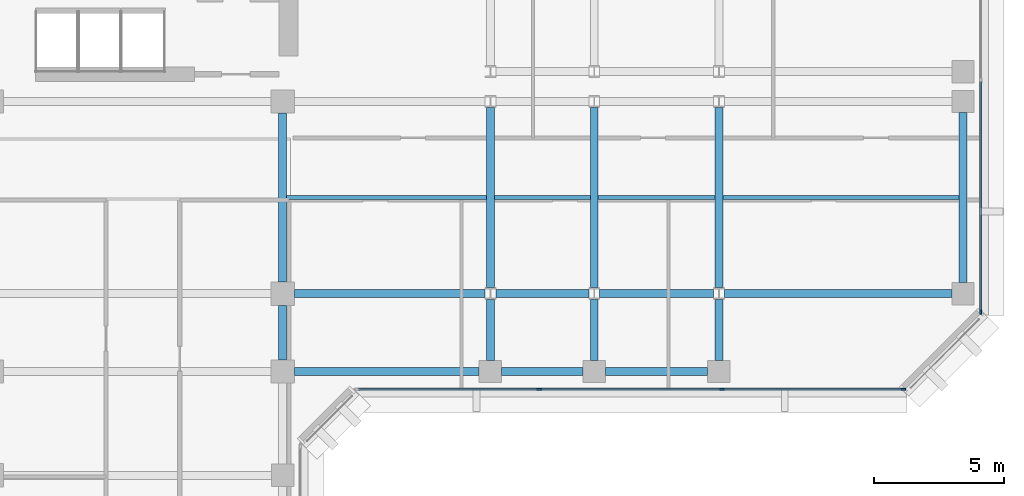
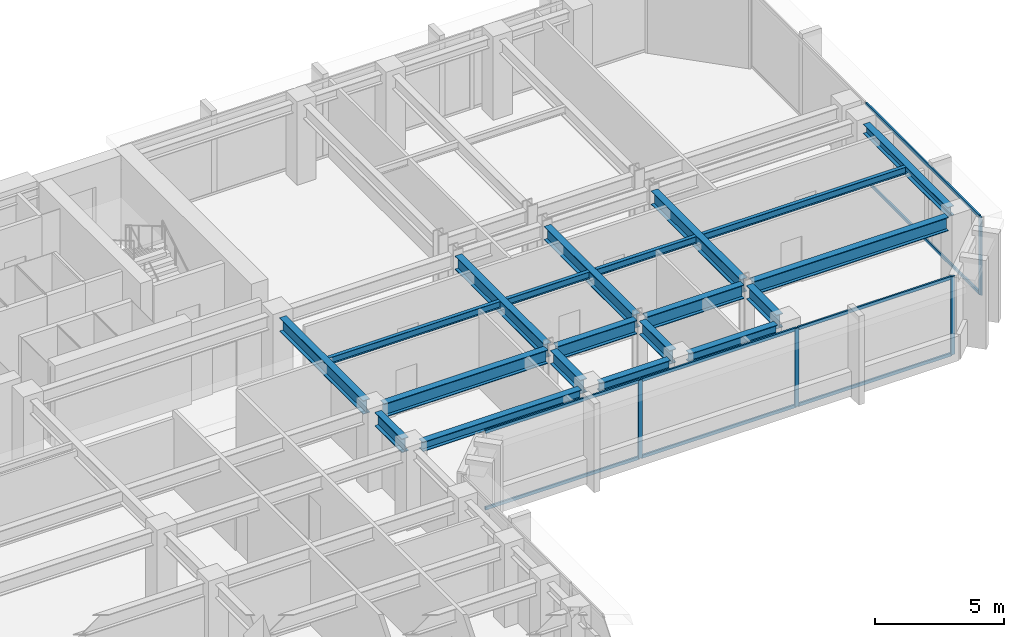
# One storey, part 3 of 12: 20 beams, 12 members, 2 elements without a shape of their own.
"""IFC4 building model written with IfcOpenShell, lengths in metres."""

from ifc_helpers import new_model, si_unit, direction, frame, origin, origin_2d, place, context, subcontext, project, spatial, rectangle, i_section, extrude, material, layer, layer_set, material_profile, profile_set, type_object, element, aggregate, save


model = new_model("IFC4")

# Units and contexts
model_context = context("Model", 3, precision=1e-05, world=origin(), true_north=direction((0.0, 1.0)))
body_context = subcontext(model_context, "Body", "Model", "MODEL_VIEW")
ifc_project = project(units=[si_unit("LENGTHUNIT", "METRE"), si_unit("AREAUNIT", "SQUARE_METRE"), si_unit("VOLUMEUNIT", "CUBIC_METRE"), si_unit("PLANEANGLEUNIT", "RADIAN"), si_unit("MASSUNIT", "GRAM", prefix="KILO")], contexts=[model_context])

# Site, building, storey
site_placement = place(None, origin())
site = spatial("IfcSite", under=ifc_project, at=site_placement, CompositionType="ELEMENT")
building_placement = place(site_placement, origin())
building = spatial("IfcBuilding", under=site, at=building_placement, Name="Kefirva Bronze Tower", CompositionType="ELEMENT")
storey_placement = place(building_placement, frame((0.0, 0.0, 118.469970703125)))
storey = spatial("IfcBuildingStorey", under=building, at=storey_placement, Name="L28", CompositionType="ELEMENT", Elevation=118.469970703125)

# Curtain wall, members
ifc_material_1 = material(Name="Bronze anodised aluminium", Category="aluminium")
ifc_layer = layer(ifc_material_1, 0.199951171875, Name="Bronze anodised aluminium")
ifc_layer_set = layer_set([ifc_layer], Name="Bronze anodised aluminium")
curtain_wall_type = type_object("IfcCurtainWallType", Name="Unitised Bronze Ribbon Curtain Wall Zone 2", PredefinedType="USERDEFINED", material=ifc_layer_set)
curtain_wall_1_placement = place(storey_placement, origin())
curtain_wall_1 = element("IfcCurtainWall", 1, at=curtain_wall_1_placement, inside=storey, type_object=curtain_wall_type, Name="L28 Curtain Wall 2", ObjectType="UNITISED CURTAIN WALL", PredefinedType="USERDEFINED")
ifc_material_profile_1 = material_profile(ifc_material_1, rectangle(XDim=0.074951171875, YDim=0.179931640625, at=origin_2d()), Name="ALU 75x180")
ifc_profile_set_1 = profile_set([ifc_material_profile_1], Name="Bronze anodised aluminium")
member_type_1 = type_object("IfcMemberType", Name="Bronze Mullion 75x180", PredefinedType="MULLION", material=ifc_profile_set_1)
member_1_placement = place(storey_placement, frame((33.0849609375, 22.1201171875, 0.0), z_axis=(0.0, 0.0, 1.0), x_axis=(0.0, 1.0, 0.0)))
member_1 = element("IfcMember", 2, at=member_1_placement, type_object=member_type_1, Name="CW-02 mullion 2", PredefinedType="MULLION", context=body_context, shape_type="SweptSolid", body=[
    extrude(rectangle(XDim=0.074951171875, YDim=0.179931640625, at=origin_2d()), origin(), (0.0, 0.0, 1.0), 3.7099609375),
])
member_2_placement = place(storey_placement, frame((40.114990234375, 22.1201171875, 0.0), z_axis=(0.0, 0.0, 1.0), x_axis=(0.0, 1.0, 0.0)))
member_2 = element("IfcMember", 3, at=member_2_placement, type_object=member_type_1, Name="CW-02 mullion 3", PredefinedType="MULLION", context=body_context, shape_type="SweptSolid", body=[
    extrude(rectangle(XDim=0.074951171875, YDim=0.179931640625, at=origin_2d()), origin(), (0.0, 0.0, 1.0), 3.7099609375),
])
member_3_placement = place(storey_placement, frame((47.107421875, 22.1201171875, 0.0), z_axis=(0.0, 0.0, 1.0), x_axis=(0.0, 1.0, 0.0)))
member_3 = element("IfcMember", 4, at=member_3_placement, type_object=member_type_1, Name="CW-02 mullion 4", PredefinedType="MULLION", context=body_context, shape_type="SweptSolid", body=[
    extrude(rectangle(XDim=0.074951171875, YDim=0.179931640625, at=origin_2d()), origin(), (0.0, 0.0, 1.0), 3.7099609375),
])

# Curtain wall, member
curtain_wall_2_placement = place(storey_placement, origin())
curtain_wall_2 = element("IfcCurtainWall", 5, at=curtain_wall_2_placement, inside=storey, type_object=curtain_wall_type, Name="L28 Curtain Wall 3", ObjectType="UNITISED CURTAIN WALL", PredefinedType="USERDEFINED")
member_4_placement = place(storey_placement, frame((50.080078125, 25.092529296875, 0.0), z_axis=(0.0, 0.0, 1.0), x_axis=(-1.0, 0.0, 0.0)))
member_4 = element("IfcMember", 6, at=member_4_placement, type_object=member_type_1, Name="CW-02 mullion 1", PredefinedType="MULLION", context=body_context, shape_type="SweptSolid", body=[
    extrude(rectangle(XDim=0.074951171875, YDim=0.179931640625, at=origin_2d()), origin(), (0.0, 0.0, 1.0), 3.7099609375),
])

# Member
ifc_material_profile_2 = material_profile(ifc_material_1, rectangle(XDim=0.074951171875, YDim=0.14990234375, at=origin_2d()), Name="ALU 75x150")
ifc_profile_set_2 = profile_set([ifc_material_profile_2], Name="Bronze anodised aluminium")
member_type_2 = type_object("IfcMemberType", Name="Bronze Transom 75x150", PredefinedType="USERDEFINED", material=ifc_profile_set_2)
member_5_placement = place(storey_placement, frame((26.1298828125, 22.1201171875, 0.03759765625), z_axis=(1.0, 0.0, 0.0), x_axis=(0.0, 1.0, 0.0)))
member_5 = element("IfcMember", 7, at=member_5_placement, type_object=member_type_2, Name="CW-02 transom 1.1", ObjectType="TRANSOM", PredefinedType="USERDEFINED", context=body_context, shape_type="SweptSolid", body=[
    extrude(rectangle(XDim=0.074951171875, YDim=0.14990234375, at=origin_2d()), origin(), (0.0, 0.0, 1.0), 6.917724609375),
])

member_6_placement = place(storey_placement, frame((26.1298828125, 22.1201171875, 3.672607421875), z_axis=(1.0, 0.0, 0.0), x_axis=(0.0, 1.0, 0.0)))
member_6 = element("IfcMember", 8, at=member_6_placement, type_object=member_type_2, Name="CW-02 transom 1.2", ObjectType="TRANSOM", PredefinedType="USERDEFINED", context=body_context, shape_type="SweptSolid", body=[
    extrude(rectangle(XDim=0.074951171875, YDim=0.14990234375, at=origin_2d()), origin(), (0.0, 0.0, 1.0), 6.917724609375),
])

member_7_placement = place(storey_placement, frame((33.12255859375, 22.1201171875, 0.03759765625), z_axis=(1.0, 0.0, 0.0), x_axis=(0.0, 1.0, 0.0)))
member_7 = element("IfcMember", 9, at=member_7_placement, type_object=member_type_2, Name="CW-02 transom 2.1", ObjectType="TRANSOM", PredefinedType="USERDEFINED", context=body_context, shape_type="SweptSolid", body=[
    extrude(rectangle(XDim=0.074951171875, YDim=0.14990234375, at=origin_2d()), origin(), (0.0, 0.0, 1.0), 6.954833984375),
])

member_8_placement = place(storey_placement, frame((33.12255859375, 22.1201171875, 3.672607421875), z_axis=(1.0, 0.0, 0.0), x_axis=(0.0, 1.0, 0.0)))
member_8 = element("IfcMember", 10, at=member_8_placement, type_object=member_type_2, Name="CW-02 transom 2.2", ObjectType="TRANSOM", PredefinedType="USERDEFINED", context=body_context, shape_type="SweptSolid", body=[
    extrude(rectangle(XDim=0.074951171875, YDim=0.14990234375, at=origin_2d()), origin(), (0.0, 0.0, 1.0), 6.954833984375),
])

member_9_placement = place(storey_placement, frame((40.152587890625, 22.1201171875, 0.03759765625), z_axis=(1.0, 0.0, 0.0), x_axis=(0.0, 1.0, 0.0)))
member_9 = element("IfcMember", 11, at=member_9_placement, type_object=member_type_2, Name="CW-02 transom 3.1", ObjectType="TRANSOM", PredefinedType="USERDEFINED", context=body_context, shape_type="SweptSolid", body=[
    extrude(rectangle(XDim=0.074951171875, YDim=0.14990234375, at=origin_2d()), origin(), (0.0, 0.0, 1.0), 6.91748046875),
])

member_10_placement = place(storey_placement, frame((40.152587890625, 22.1201171875, 3.672607421875), z_axis=(1.0, 0.0, 0.0), x_axis=(0.0, 1.0, 0.0)))
member_10 = element("IfcMember", 12, at=member_10_placement, type_object=member_type_2, Name="CW-02 transom 3.2", ObjectType="TRANSOM", PredefinedType="USERDEFINED", context=body_context, shape_type="SweptSolid", body=[
    extrude(rectangle(XDim=0.074951171875, YDim=0.14990234375, at=origin_2d()), origin(), (0.0, 0.0, 1.0), 6.91748046875),
])

aggregate(curtain_wall_1, [member_1, member_2, member_3, member_5, member_6, member_7, member_8, member_9, member_10])

member_11_placement = place(storey_placement, frame((50.080078125, 25.1298828125, 0.03759765625), z_axis=(0.0, 1.0, 0.0), x_axis=(-1.0, 0.0, 0.0)))
member_11 = element("IfcMember", 13, at=member_11_placement, type_object=member_type_2, Name="CW-02 transom 1.1", ObjectType="TRANSOM", PredefinedType="USERDEFINED", context=body_context, shape_type="SweptSolid", body=[
    extrude(rectangle(XDim=0.074951171875, YDim=0.14990234375, at=origin_2d()), origin(), (0.0, 0.0, 1.0), 8.83251953125),
])

member_12_placement = place(storey_placement, frame((50.080078125, 25.1298828125, 3.672607421875), z_axis=(0.0, 1.0, 0.0), x_axis=(-1.0, 0.0, 0.0)))
member_12 = element("IfcMember", 14, at=member_12_placement, type_object=member_type_2, Name="CW-02 transom 1.2", ObjectType="TRANSOM", PredefinedType="USERDEFINED", context=body_context, shape_type="SweptSolid", body=[
    extrude(rectangle(XDim=0.074951171875, YDim=0.14990234375, at=origin_2d()), origin(), (0.0, 0.0, 1.0), 8.83251953125),
])

aggregate(curtain_wall_2, [member_4, member_11, member_12])

# Beams
ifc_material_2 = material(Name="Steel S355", Category="steel")
ifc_material_profile_3 = material_profile(ifc_material_2, i_section(OverallWidth=0.159912109375, OverallDepth=0.330078125, WebThickness=0.007568359375, FlangeThickness=0.011474609375, at=origin_2d()), Name="IPE 330")
ifc_profile_set_3 = profile_set([ifc_material_profile_3], Name="Steel S355")
beam_type_1 = type_object("IfcBeamType", Name="Steel Floor Joist IPE 330", PredefinedType="JOIST", material=ifc_profile_set_3)
beam_1_placement = place(storey_placement, frame((23.35009765625, 29.5, 3.544921875), z_axis=(1.0, 0.0, 0.0), x_axis=(0.0, 1.0, 0.0)))
element("IfcBeam", 15, at=beam_1_placement, inside=storey, type_object=beam_type_1, Name="L28 JST-L28-23-295", PredefinedType="JOIST", context=body_context, shape_type="SweptSolid", body=[
    extrude(i_section(OverallWidth=0.159912109375, OverallDepth=0.330078125, WebThickness=0.007568359375, FlangeThickness=0.011474609375, at=origin_2d()), origin(), (0.0, 0.0, 1.0), 7.699951171875),
])
beam_2_placement = place(storey_placement, frame((31.35009765625, 29.5, 3.544921875), z_axis=(1.0, 0.0, 0.0), x_axis=(0.0, 1.0, 0.0)))
element("IfcBeam", 16, at=beam_2_placement, inside=storey, type_object=beam_type_1, Name="L28 JST-L28-31-295", PredefinedType="JOIST", context=body_context, shape_type="SweptSolid", body=[
    extrude(i_section(OverallWidth=0.159912109375, OverallDepth=0.330078125, WebThickness=0.007568359375, FlangeThickness=0.011474609375, at=origin_2d()), origin(), (0.0, 0.0, 1.0), 3.699951171875),
])
beam_3_placement = place(storey_placement, frame((35.35009765625, 29.5, 3.544921875), z_axis=(1.0, 0.0, 0.0), x_axis=(0.0, 1.0, 0.0)))
element("IfcBeam", 17, at=beam_3_placement, inside=storey, type_object=beam_type_1, Name="L28 JST-L28-35-295", PredefinedType="JOIST", context=body_context, shape_type="SweptSolid", body=[
    extrude(i_section(OverallWidth=0.159912109375, OverallDepth=0.330078125, WebThickness=0.007568359375, FlangeThickness=0.011474609375, at=origin_2d()), origin(), (0.0, 0.0, 1.0), 4.5),
])
beam_4_placement = place(storey_placement, frame((40.14990234375, 29.5, 3.544921875), z_axis=(1.0, 0.0, 0.0), x_axis=(0.0, 1.0, 0.0)))
element("IfcBeam", 18, at=beam_4_placement, inside=storey, type_object=beam_type_1, Name="L28 JST-L28-40-295", PredefinedType="JOIST", context=body_context, shape_type="SweptSolid", body=[
    extrude(i_section(OverallWidth=0.159912109375, OverallDepth=0.330078125, WebThickness=0.007568359375, FlangeThickness=0.011474609375, at=origin_2d()), origin(), (0.0, 0.0, 1.0), 9.10009765625),
])
ifc_material_profile_4 = material_profile(ifc_material_2, i_section(OverallWidth=0.300048828125, OverallDepth=0.64990234375, WebThickness=0.01611328125, FlangeThickness=0.031005859375, at=origin_2d()), Name="HEB 650")
ifc_profile_set_4 = profile_set([ifc_material_profile_4], Name="Steel S355")
beam_type_2 = type_object("IfcBeamType", Name="Steel Girder HEB 650", PredefinedType="USERDEFINED", material=ifc_profile_set_4)
beam_5_placement = place(storey_placement, frame((23.64990234375, 25.800048828125, 3.385009765625), z_axis=(1.0, 0.0, 0.0), x_axis=(0.0, 1.0, 0.0)))
element("IfcBeam", 19, at=beam_5_placement, inside=storey, type_object=beam_type_2, Name="L28 BM-L28-EW-23-258", ObjectType="GIRDER", PredefinedType="USERDEFINED", context=body_context, shape_type="SweptSolid", body=[
    extrude(i_section(OverallWidth=0.300048828125, OverallDepth=0.64990234375, WebThickness=0.01611328125, FlangeThickness=0.031005859375, at=origin_2d()), origin(), (0.0, 0.0, 1.0), 7.341064453125),
])
beam_6_placement = place(storey_placement, frame((31.408935546875, 25.800048828125, 3.385009765625), z_axis=(1.0, 0.0, 0.0), x_axis=(0.0, 1.0, 0.0)))
element("IfcBeam", 20, at=beam_6_placement, inside=storey, type_object=beam_type_2, Name="L28 BM-L28-EW-31-258", ObjectType="GIRDER", PredefinedType="USERDEFINED", context=body_context, shape_type="SweptSolid", body=[
    extrude(i_section(OverallWidth=0.300048828125, OverallDepth=0.64990234375, WebThickness=0.01611328125, FlangeThickness=0.031005859375, at=origin_2d()), origin(), (0.0, 0.0, 1.0), 3.58203125),
])
beam_7_placement = place(storey_placement, frame((35.408935546875, 25.800048828125, 3.385009765625), z_axis=(1.0, 0.0, 0.0), x_axis=(0.0, 1.0, 0.0)))
element("IfcBeam", 21, at=beam_7_placement, inside=storey, type_object=beam_type_2, Name="L28 BM-L28-EW-35-258", ObjectType="GIRDER", PredefinedType="USERDEFINED", context=body_context, shape_type="SweptSolid", body=[
    extrude(i_section(OverallWidth=0.300048828125, OverallDepth=0.64990234375, WebThickness=0.01611328125, FlangeThickness=0.031005859375, at=origin_2d()), origin(), (0.0, 0.0, 1.0), 4.382080078125),
])
beam_8_placement = place(storey_placement, frame((40.208984375, 25.800048828125, 3.385009765625), z_axis=(1.0, 0.0, 0.0), x_axis=(0.0, 1.0, 0.0)))
element("IfcBeam", 22, at=beam_8_placement, inside=storey, type_object=beam_type_2, Name="L28 BM-L28-EW-40-258", ObjectType="GIRDER", PredefinedType="USERDEFINED", context=body_context, shape_type="SweptSolid", body=[
    extrude(i_section(OverallWidth=0.300048828125, OverallDepth=0.64990234375, WebThickness=0.01611328125, FlangeThickness=0.031005859375, at=origin_2d()), origin(), (0.0, 0.0, 1.0), 8.760986328125),
])
beam_9_placement = place(storey_placement, frame((23.199951171875, 23.25, 3.385009765625), z_axis=(0.0, 1.0, 0.0), x_axis=(-1.0, 0.0, 0.0)))
element("IfcBeam", 23, at=beam_9_placement, inside=storey, type_object=beam_type_2, Name="L28 BM-L28-NS-232-22", ObjectType="GIRDER", PredefinedType="USERDEFINED", context=body_context, shape_type="SweptSolid", body=[
    extrude(i_section(OverallWidth=0.300048828125, OverallDepth=0.64990234375, WebThickness=0.01611328125, FlangeThickness=0.031005859375, at=origin_2d()), origin(), (0.0, 0.0, 1.0), 2.10009765625),
])
beam_10_placement = place(storey_placement, frame((23.199951171875, 26.25, 3.385009765625), z_axis=(0.0, 1.0, 0.0), x_axis=(-1.0, 0.0, 0.0)))
element("IfcBeam", 24, at=beam_10_placement, inside=storey, type_object=beam_type_2, Name="L28 BM-L28-NS-232-25", ObjectType="GIRDER", PredefinedType="USERDEFINED", context=body_context, shape_type="SweptSolid", body=[
    extrude(i_section(OverallWidth=0.300048828125, OverallDepth=0.64990234375, WebThickness=0.01611328125, FlangeThickness=0.031005859375, at=origin_2d()), origin(), (0.0, 0.0, 1.0), 6.5),
])
beam_11_placement = place(storey_placement, frame((31.199951171875, 23.22998046875, 3.385009765625), z_axis=(0.0, 1.0, 0.0), x_axis=(-1.0, 0.0, 0.0)))
element("IfcBeam", 25, at=beam_11_placement, inside=storey, type_object=beam_type_2, Name="L28 BM-L28-NS-312-22", ObjectType="GIRDER", PredefinedType="USERDEFINED", context=body_context, shape_type="SweptSolid", body=[
    extrude(i_section(OverallWidth=0.300048828125, OverallDepth=0.64990234375, WebThickness=0.01611328125, FlangeThickness=0.031005859375, at=origin_2d()), origin(), (0.0, 0.0, 1.0), 2.342529296875),
])
beam_12_placement = place(storey_placement, frame((31.199951171875, 26.027587890625, 3.385009765625), z_axis=(0.0, 1.0, 0.0), x_axis=(-1.0, 0.0, 0.0)))
element("IfcBeam", 26, at=beam_12_placement, inside=storey, type_object=beam_type_2, Name="L28 BM-L28-NS-312-25", ObjectType="GIRDER", PredefinedType="USERDEFINED", context=body_context, shape_type="SweptSolid", body=[
    extrude(i_section(OverallWidth=0.300048828125, OverallDepth=0.64990234375, WebThickness=0.01611328125, FlangeThickness=0.031005859375, at=origin_2d()), origin(), (0.0, 0.0, 1.0), 6.94482421875),
])
beam_13_placement = place(storey_placement, frame((35.199951171875, 23.22998046875, 3.385009765625), z_axis=(0.0, 1.0, 0.0), x_axis=(-1.0, 0.0, 0.0)))
element("IfcBeam", 27, at=beam_13_placement, inside=storey, type_object=beam_type_2, Name="L28 BM-L28-NS-352-22", ObjectType="GIRDER", PredefinedType="USERDEFINED", context=body_context, shape_type="SweptSolid", body=[
    extrude(i_section(OverallWidth=0.300048828125, OverallDepth=0.64990234375, WebThickness=0.01611328125, FlangeThickness=0.031005859375, at=origin_2d()), origin(), (0.0, 0.0, 1.0), 2.342529296875),
])
beam_14_placement = place(storey_placement, frame((35.199951171875, 26.027587890625, 3.385009765625), z_axis=(0.0, 1.0, 0.0), x_axis=(-1.0, 0.0, 0.0)))
element("IfcBeam", 28, at=beam_14_placement, inside=storey, type_object=beam_type_2, Name="L28 BM-L28-NS-352-25", ObjectType="GIRDER", PredefinedType="USERDEFINED", context=body_context, shape_type="SweptSolid", body=[
    extrude(i_section(OverallWidth=0.300048828125, OverallDepth=0.64990234375, WebThickness=0.01611328125, FlangeThickness=0.031005859375, at=origin_2d()), origin(), (0.0, 0.0, 1.0), 6.94482421875),
])
beam_15_placement = place(storey_placement, frame((40.0, 23.22998046875, 3.385009765625), z_axis=(0.0, 1.0, 0.0), x_axis=(-1.0, 0.0, 0.0)))
element("IfcBeam", 29, at=beam_15_placement, inside=storey, type_object=beam_type_2, Name="L28 BM-L28-NS-400-22", ObjectType="GIRDER", PredefinedType="USERDEFINED", context=body_context, shape_type="SweptSolid", body=[
    extrude(i_section(OverallWidth=0.300048828125, OverallDepth=0.64990234375, WebThickness=0.01611328125, FlangeThickness=0.031005859375, at=origin_2d()), origin(), (0.0, 0.0, 1.0), 2.342529296875),
])
beam_16_placement = place(storey_placement, frame((40.0, 26.027587890625, 3.385009765625), z_axis=(0.0, 1.0, 0.0), x_axis=(-1.0, 0.0, 0.0)))
element("IfcBeam", 30, at=beam_16_placement, inside=storey, type_object=beam_type_2, Name="L28 BM-L28-NS-400-25", ObjectType="GIRDER", PredefinedType="USERDEFINED", context=body_context, shape_type="SweptSolid", body=[
    extrude(i_section(OverallWidth=0.300048828125, OverallDepth=0.64990234375, WebThickness=0.01611328125, FlangeThickness=0.031005859375, at=origin_2d()), origin(), (0.0, 0.0, 1.0), 6.94482421875),
])
ifc_material_profile_5 = material_profile(ifc_material_2, i_section(OverallWidth=0.300048828125, OverallDepth=0.449951171875, WebThickness=0.013916015625, FlangeThickness=0.02587890625, at=origin_2d()), Name="HEB 450")
ifc_profile_set_5 = profile_set([ifc_material_profile_5], Name="Steel S355")
beam_type_3 = type_object("IfcBeamType", Name="Steel Spandrel HEB 450 Ext", PredefinedType="SPANDREL", material=ifc_profile_set_5)
beam_17_placement = place(storey_placement, frame((23.64990234375, 22.800048828125, 3.485107421875), z_axis=(1.0, 0.0, 0.0), x_axis=(0.0, 1.0, 0.0)))
element("IfcBeam", 31, at=beam_17_placement, inside=storey, type_object=beam_type_3, Name="L28 BM-L28-EW-23-228", PredefinedType="SPANDREL", context=body_context, shape_type="SweptSolid", body=[
    extrude(i_section(OverallWidth=0.300048828125, OverallDepth=0.449951171875, WebThickness=0.013916015625, FlangeThickness=0.02587890625, at=origin_2d()), origin(), (0.0, 0.0, 1.0), 7.1201171875),
])
beam_18_placement = place(storey_placement, frame((31.6298828125, 22.800048828125, 3.485107421875), z_axis=(1.0, 0.0, 0.0), x_axis=(0.0, 1.0, 0.0)))
element("IfcBeam", 32, at=beam_18_placement, inside=storey, type_object=beam_type_3, Name="L28 BM-L28-EW-31-228", PredefinedType="SPANDREL", context=body_context, shape_type="SweptSolid", body=[
    extrude(i_section(OverallWidth=0.300048828125, OverallDepth=0.449951171875, WebThickness=0.013916015625, FlangeThickness=0.02587890625, at=origin_2d()), origin(), (0.0, 0.0, 1.0), 3.14013671875),
])
beam_19_placement = place(storey_placement, frame((35.6298828125, 22.800048828125, 3.485107421875), z_axis=(1.0, 0.0, 0.0), x_axis=(0.0, 1.0, 0.0)))
element("IfcBeam", 33, at=beam_19_placement, inside=storey, type_object=beam_type_3, Name="L28 BM-L28-EW-35-228", PredefinedType="SPANDREL", context=body_context, shape_type="SweptSolid", body=[
    extrude(i_section(OverallWidth=0.300048828125, OverallDepth=0.449951171875, WebThickness=0.013916015625, FlangeThickness=0.02587890625, at=origin_2d()), origin(), (0.0, 0.0, 1.0), 3.940185546875),
])
beam_20_placement = place(storey_placement, frame((49.39990234375, 26.22998046875, 3.485107421875), z_axis=(0.0, 1.0, 0.0), x_axis=(-1.0, 0.0, 0.0)))
element("IfcBeam", 34, at=beam_20_placement, inside=storey, type_object=beam_type_3, Name="L28 BM-L28-NS-494-25", PredefinedType="SPANDREL", context=body_context, shape_type="SweptSolid", body=[
    extrude(i_section(OverallWidth=0.300048828125, OverallDepth=0.449951171875, WebThickness=0.013916015625, FlangeThickness=0.02587890625, at=origin_2d()), origin(), (0.0, 0.0, 1.0), 6.5400390625),
])

save(model, "model.ifc")
